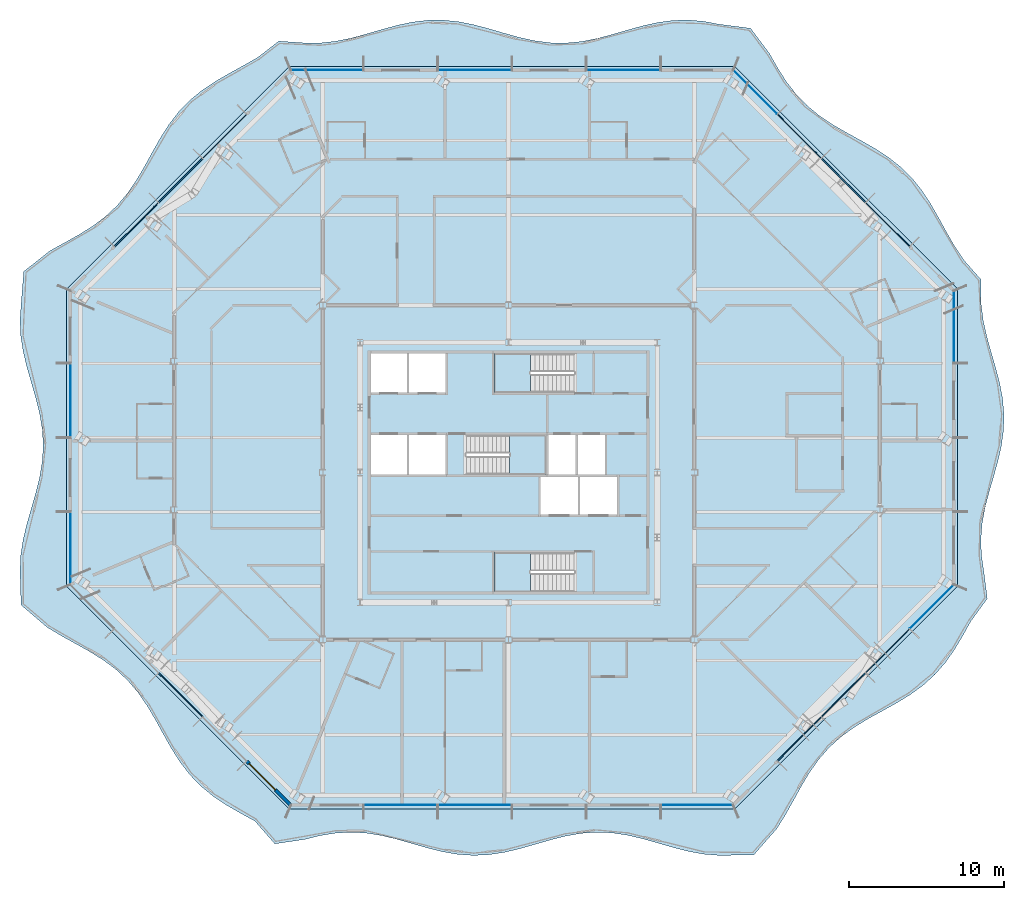
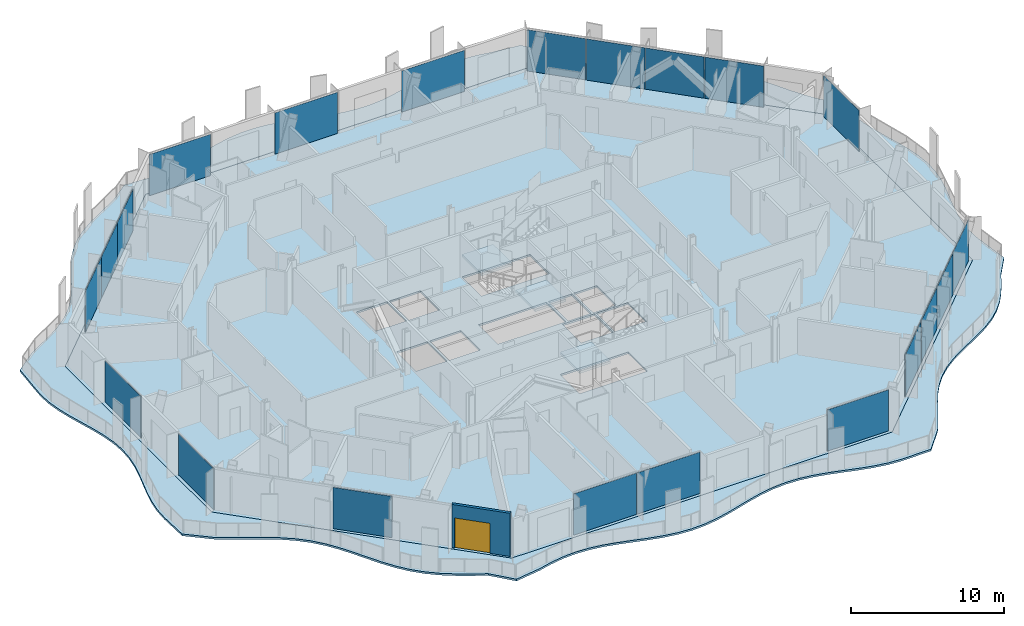
# One storey, part 6 of 22: 21 plates, 5 slabs, 1 door, 1 wall, 1 opening, 11 elements without a shape of their own.
"""IFC4 building model written with IfcOpenShell, lengths in metres."""

from ifc_helpers import new_model, si_unit, direction, frame, frame_2d, origin, origin_2d, place, context, subcontext, project, spatial, polyline, rectangle, outline, extrude, material, layer, layer_set, type_object, element, fill, aggregate, save


model = new_model("IFC4")

# Units and contexts
model_context = context("Model", 3, precision=1e-05, world=origin(), true_north=direction((0.0, 1.0)))
body_context = subcontext(model_context, "Body", "Model", "MODEL_VIEW")
ifc_project = project(units=[si_unit("LENGTHUNIT", "METRE"), si_unit("AREAUNIT", "SQUARE_METRE"), si_unit("VOLUMEUNIT", "CUBIC_METRE"), si_unit("PLANEANGLEUNIT", "RADIAN"), si_unit("MASSUNIT", "GRAM", prefix="KILO")], contexts=[model_context])

# Site, building, storey
site_placement = place(None, origin())
site = spatial("IfcSite", under=ifc_project, at=site_placement, CompositionType="ELEMENT")
building_placement = place(site_placement, origin())
building = spatial("IfcBuilding", under=site, at=building_placement, Name="Cairn Pilgrim Tower", CompositionType="ELEMENT")
storey_placement = place(building_placement, frame((0.0, 0.0, 175.800048828125)))
storey = spatial("IfcBuildingStorey", under=building, at=storey_placement, Name="L44", CompositionType="ELEMENT", Elevation=175.800048828125)

# Slabs
ifc_material_1 = material(Name="Concrete C35/45", Category="concrete")
ifc_layer_1 = layer(ifc_material_1, 0.14990234375)
ifc_layer_set_1 = layer_set([ifc_layer_1], Name="BALCONY SLAB 150 CONCRETE C35/45")
slab_type_1 = type_object("IfcSlabType", Name="BALCONY SLAB 150 CONCRETE C35/45", PredefinedType="FLOOR", material=ifc_layer_set_1)
slab_1_placement = place(storey_placement, frame((0.0, 0.0, -0.150146484375)))
element("IfcSlab", 1, at=slab_1_placement, inside=storey, type_object=slab_type_1, Name="Balcony slab BS-1", PredefinedType="FLOOR", context=body_context, shape_type="SweptSolid", body=[
    extrude(outline(polyline([(-9.19482421875, -20.129638671875), (-7.906982421875, -21.60009765625), (-5.98193359375, -21.31494140625), (-4.98876953125, -21.072509765625), (-3.99560546875, -20.909423828125), (-3.002685546875, -20.85009765625), (-2.009521484375, -20.9033203125), (-1.016357421875, -21.06103515625), (-0.023193359375, -21.2998046875), (0.9697265625, -21.583740234375), (1.962890625, -21.8701171875), (2.9560546875, -22.11572265625), (3.94921875, -22.283935546875), (4.942138671875, -22.349609375), (5.935302734375, -22.302490234375), (6.928466796875, -22.150146484375), (7.921630859375, -21.914794921875), (8.91455078125, -21.632568359375), (9.90771484375, -21.34521484375), (10.90087890625, -21.09619140625), (11.89404296875, -20.9228515625), (12.886962890625, -20.85107421875), (13.880126953125, -20.891845703125), (14.873291015625, -21.0390625), (15.866455078125, -21.2705078125), (16.859375, -21.55126953125), (17.8525390625, -21.83935546875), (18.845703125, -22.091796875), (19.8388671875, -22.27001953125), (20.831787109375, -22.347900390625), (23.052490234375, -22.313232421875), (24.536865234375, -20.621826171875), (25.08984375, -19.73486328125), (25.606201171875, -18.811279296875), (26.11767578125, -17.8828125), (26.657470703125, -16.982421875), (27.253662109375, -16.138671875), (27.92578125, -15.370849609375), (28.681884765625, -14.686767578125), (29.515625, -14.080810546875), (30.40966796875, -13.53466796875), (31.336181640625, -13.02099609375), (32.262451171875, -12.507568359375), (33.156494140625, -11.96142578125), (33.990234375, -11.355224609375), (34.74609375, -10.671142578125), (35.418212890625, -9.9033203125), (36.014404296875, -9.0595703125), (36.553955078125, -8.158935546875), (37.0654296875, -7.23046875), (38.143798828125, -5.744873046875), (37.909423828125, -3.939453125), (37.762939453125, -2.928955078125), (37.727294921875, -1.91845703125), (37.8076171875, -0.907958984375), (37.99169921875, 0.1025390625), (38.2509765625, 1.113037109375), (38.545166015625, 2.123779296875), (38.828369140625, 3.13427734375), (39.056396484375, 4.144775390625), (39.1943359375, 5.1552734375), (39.220458984375, 6.165771484375), (39.130615234375, 7.17626953125), (38.93896484375, 8.186767578125), (38.675048828125, 9.197265625), (38.38037109375, 10.2080078125), (38.10009765625, 11.218505859375), (37.878173828125, 12.22900390625), (37.7490234375, 13.239501953125), (37.732666015625, 14.87451171875), (36.641845703125, 16.10693359375), (36.064453125, 16.969482421875), (35.5361328125, 17.881103515625), (35.026611328125, 18.811767578125), (34.5029296875, 19.72802734375), (33.933837890625, 20.598876953125), (33.2958984375, 21.40087890625), (32.57568359375, 22.12060546875), (31.773681640625, 22.758544921875), (30.90234375, 23.327392578125), (29.986083984375, 23.85107421875), (29.055419921875, 24.360595703125), (28.14404296875, 24.888916015625), (27.28173828125, 25.466552734375), (26.490966796875, 26.115966796875), (25.783203125, 26.84814453125), (25.15625, 27.661376953125), (24.595458984375, 28.54052734375), (24.075927734375, 29.4609375), (22.8447265625, 31.11181640625), (20.831787109375, 31.369384765625), (19.8388671875, 31.556640625), (18.845703125, 31.64501953125), (17.8525390625, 31.62158203125), (16.859375, 31.489990234375), (15.866455078125, 31.26953125), (14.873291015625, 30.99365234375), (13.880126953125, 30.703857421875), (12.886962890625, 30.443359375), (11.89404296875, 30.25146484375), (10.90087890625, 30.156982421875), (9.90771484375, 30.174072265625), (8.91455078125, 30.30029296875), (7.921630859375, 30.516357421875), (6.928466796875, 30.790283203125), (5.935302734375, 31.08056640625), (4.942138671875, 31.34375), (3.94921875, 31.540283203125), (2.9560546875, 31.640625), (1.962890625, 31.6298828125), (0.9697265625, 31.509521484375), (-0.023193359375, 31.29736328125), (-1.016357421875, 31.02587890625), (-2.009521484375, 30.7353515625), (-3.002685546875, 30.469482421875), (-3.99560546875, 30.268310546875), (-4.98876953125, 30.162109375), (-5.98193359375, 30.16650390625), (-7.650634765625, 30.28125), (-8.999755859375, 29.234619140625), (-9.916015625, 28.7109375), (-10.8466796875, 28.20166015625), (-11.758056640625, 27.673095703125), (-12.620361328125, 27.095458984375), (-13.410888671875, 26.446044921875), (-14.11865234375, 25.7138671875), (-14.74560546875, 24.900634765625), (-15.306396484375, 24.021240234375), (-15.825927734375, 23.100830078125), (-16.3359375, 22.171142578125), (-16.869873046875, 21.264892578125), (-17.456787109375, 20.41162109375), (-18.11767578125, 19.632568359375), (-18.86181640625, 18.936767578125), (-19.685546875, 18.320556640625), (-20.572509765625, 17.767578125), (-21.496337890625, 17.251220703125), (-22.4248046875, 16.73974609375), (-24.1328125, 15.392333984375), (-24.306640625, 13.239501953125), (-24.37451171875, 12.22900390625), (-24.325927734375, 11.218505859375), (-24.16845703125, 10.2080078125), (-23.926513671875, 9.197265625), (-23.6376953125, 8.186767578125), (-23.3466796875, 7.17626953125), (-23.09912109375, 6.165771484375), (-22.933349609375, 5.1552734375), (-22.875, 4.144775390625), (-22.93310546875, 3.13427734375), (-23.098876953125, 2.123779296875), (-23.346435546875, 1.113037109375), (-23.63720703125, 0.1025390625), (-23.926025390625, -0.907958984375), (-24.168212890625, -1.91845703125), (-24.325927734375, -2.928955078125), (-24.37451171875, -3.939453125), (-24.306884765625, -6.164306640625), (-22.60400390625, -7.619140625), (-21.70361328125, -8.15869140625), (-20.775146484375, -8.669921875), (-19.851318359375, -9.186279296875), (-18.96484375, -9.73974609375), (-18.141357421875, -10.3564453125), (-17.397705078125, -11.052734375), (-16.7373046875, -11.832275390625), (-16.15087890625, -12.685791015625), (-15.6171875, -13.59228515625), (-15.107177734375, -14.522216796875), (-14.58740234375, -15.4423828125), (-14.0263671875, -16.321533203125), (-13.399169921875, -17.134033203125), (-12.69091796875, -17.86572265625), (-11.899658203125, -18.5146484375), (-11.037109375, -19.092041015625), (-10.125244140625, -19.620361328125), (-9.19482421875, -20.129638671875)]), holes=[polyline([(21.824951171875, -19.35009765625), (-6.97509765625, -19.35009765625), (-21.375, -4.949951171875), (-21.375, 14.25), (-6.97509765625, 28.64990234375), (21.824951171875, 28.64990234375), (36.22509765625, 14.25), (36.22509765625, -4.949951171875), (21.824951171875, -19.35009765625)])]), origin(), (0.0, 0.0, 1.0), 0.150146484375),
])
ifc_layer_2 = layer(ifc_material_1, 0.14990234375)
ifc_layer_set_2 = layer_set([ifc_layer_2], Name="COMPOSITE FLOOR SLAB 150")
slab_type_2 = type_object("IfcSlabType", Name="COMPOSITE FLOOR SLAB 150", PredefinedType="FLOOR", material=ifc_layer_set_2)
slab_2_placement = place(storey_placement, frame((0.0, 0.0, -0.150146484375)))
element("IfcSlab", 2, at=slab_2_placement, inside=storey, type_object=slab_type_2, Name="FLOOR SLAB L44", PredefinedType="FLOOR", context=body_context, shape_type="SweptSolid", body=[
    extrude(outline(polyline([(-6.97509765625, -19.35009765625), (21.824951171875, -19.35009765625), (36.22509765625, -4.949951171875), (36.22509765625, 14.25), (21.824951171875, 28.64990234375), (-6.97509765625, 28.64990234375), (-21.375, 14.25), (-21.375, -4.949951171875), (-6.97509765625, -19.35009765625)]), holes=[polyline([(9.27490234375, -0.324951171875), (11.675048828125, -0.324951171875), (11.675048828125, 2.125), (9.27490234375, 2.125), (9.27490234375, -0.324951171875)]), polyline([(11.824951171875, -0.324951171875), (14.22509765625, -0.324951171875), (14.22509765625, 2.125), (11.824951171875, 2.125), (11.824951171875, -0.324951171875)]), polyline([(-1.72509765625, 2.27490234375), (0.625, 2.27490234375), (0.625, 4.824951171875), (-1.72509765625, 4.824951171875), (-1.72509765625, 2.27490234375)]), polyline([(0.77490234375, 2.27490234375), (3.125, 2.27490234375), (3.125, 4.824951171875), (0.77490234375, 4.824951171875), (0.77490234375, 2.27490234375)]), polyline([(-1.72509765625, 7.574951171875), (0.625, 7.574951171875), (0.625, 10.10009765625), (-1.72509765625, 10.10009765625), (-1.72509765625, 7.574951171875)]), polyline([(0.77490234375, 7.574951171875), (3.125, 7.574951171875), (3.125, 10.10009765625), (0.77490234375, 10.10009765625), (0.77490234375, 7.574951171875)]), polyline([(9.77490234375, 2.27490234375), (11.52490234375, 2.27490234375), (11.52490234375, 4.824951171875), (9.77490234375, 4.824951171875), (9.77490234375, 2.27490234375)]), polyline([(11.675048828125, 2.27490234375), (13.425048828125, 2.27490234375), (13.425048828125, 4.824951171875), (11.675048828125, 4.824951171875), (11.675048828125, 2.27490234375)]), polyline([(11.424560546875, -2.77490234375), (6.27490234375, -2.77490234375), (6.27490234375, -5.300048828125), (11.424560546875, -5.300048828125), (11.424560546875, -2.77490234375)]), polyline([(4.4755859375, 2.27490234375), (9.625, 2.27490234375), (9.625, 4.824951171875), (4.4755859375, 4.824951171875), (4.4755859375, 2.27490234375)]), polyline([(11.424560546875, 10.10009765625), (6.27490234375, 10.10009765625), (6.27490234375, 7.574951171875), (11.424560546875, 7.574951171875), (11.424560546875, 10.10009765625)])]), origin(), (0.0, 0.0, 1.0), 0.150146484375),
])

# Curtain wall, plates
ifc_material_2 = material(Name="Aluminium alloy 6063-T6 bronze anodised with Bronze tinted laminated low-E glass 8+16+8.8", Category="aluminium")
curtain_wall_type_1 = type_object("IfcCurtainWallType", Name="CHAMFER CORNER CURTAIN WALL", PredefinedType="NOTDEFINED", material=ifc_material_2)
curtain_wall_1_placement = place(storey_placement, origin())
curtain_wall_1 = element("IfcCurtainWall", 3, at=curtain_wall_1_placement, inside=storey, type_object=curtain_wall_type_1, Name="Chamfer Corner Curtain Wall SE", PredefinedType="NOTDEFINED")
ifc_material_3 = material(Name="Bronze anodised aluminium spandrel panel with mineral wool insulation", Category="aluminium")
ifc_layer_3 = layer(ifc_material_3, 0.06005859375)
ifc_layer_set_3 = layer_set([ifc_layer_3], Name="SPANDREL PANEL 3972x3300")
plate_type_1 = type_object("IfcPlateType", Name="SPANDREL PANEL 3972x3300", PredefinedType="CURTAIN_PANEL", material=ifc_layer_set_3)
plate_1_placement = place(storey_placement, frame((25.99755859375, -14.823974609375, 0.0), z_axis=(0.0, 0.0, 1.0), x_axis=(0.707106781187, 0.707106781187, 0.0)))
plate_1 = element("IfcPlate", 4, at=plate_1_placement, type_object=plate_type_1, Name="Spandrel Panel SE2-1", PredefinedType="CURTAIN_PANEL", context=body_context, shape_type="SweptSolid", body=[
    extrude(rectangle(XDim=3.971435546875, YDim=0.06005859375, at=origin_2d()), origin(), (0.0, 0.0, 1.0), 3.300048828125),
])
plate_2_placement = place(storey_placement, frame((28.84814453125, -11.97314453125, 0.0), z_axis=(0.0, 0.0, 1.0), x_axis=(0.707106781187, 0.707106781187, 0.0)))
plate_2 = element("IfcPlate", 5, at=plate_2_placement, type_object=plate_type_1, Name="Spandrel Panel SE3-1", PredefinedType="CURTAIN_PANEL", context=body_context, shape_type="SweptSolid", body=[
    extrude(rectangle(XDim=3.971435546875, YDim=0.06005859375, at=origin_2d()), origin(), (0.0, 0.0, 1.0), 3.300048828125),
])
plate_3_placement = place(storey_placement, frame((31.698974609375, -9.12255859375, 0.0), z_axis=(0.0, 0.0, 1.0), x_axis=(0.707106781187, 0.707106781187, 0.0)))
plate_3 = element("IfcPlate", 6, at=plate_3_placement, type_object=plate_type_1, Name="Spandrel Panel SE4-1", PredefinedType="CURTAIN_PANEL", context=body_context, shape_type="SweptSolid", body=[
    extrude(rectangle(XDim=3.971435546875, YDim=0.06005859375, at=origin_2d()), origin(), (0.0, 0.0, 1.0), 3.300048828125),
])

curtain_wall_2_placement = place(storey_placement, origin())
curtain_wall_2 = element("IfcCurtainWall", 7, at=curtain_wall_2_placement, inside=storey, type_object=curtain_wall_type_1, Name="Chamfer Corner Curtain Wall NE", PredefinedType="NOTDEFINED")
plate_4_placement = place(storey_placement, frame((31.698974609375, 18.422607421875, 0.0), z_axis=(0.0, 0.0, 1.0), x_axis=(-0.707106781187, 0.707106781187, 0.0)))
plate_4 = element("IfcPlate", 8, at=plate_4_placement, type_object=plate_type_1, Name="Spandrel Panel NE2-1", PredefinedType="CURTAIN_PANEL", context=body_context, shape_type="SweptSolid", body=[
    extrude(rectangle(XDim=3.971435546875, YDim=0.06005859375, at=origin_2d()), origin(), (0.0, 0.0, 1.0), 3.300048828125),
])
plate_5_placement = place(storey_placement, frame((28.84814453125, 21.273193359375, 0.0), z_axis=(0.0, 0.0, 1.0), x_axis=(-0.707106781187, 0.707106781187, 0.0)))
plate_5 = element("IfcPlate", 9, at=plate_5_placement, type_object=plate_type_1, Name="Spandrel Panel NE3-1", PredefinedType="CURTAIN_PANEL", context=body_context, shape_type="SweptSolid", body=[
    extrude(rectangle(XDim=3.971435546875, YDim=0.06005859375, at=origin_2d()), origin(), (0.0, 0.0, 1.0), 3.300048828125),
])
plate_6_placement = place(storey_placement, frame((25.99755859375, 24.1240234375, 0.0), z_axis=(0.0, 0.0, 1.0), x_axis=(-0.707106781187, 0.707106781187, 0.0)))
plate_6 = element("IfcPlate", 10, at=plate_6_placement, type_object=plate_type_1, Name="Spandrel Panel NE4-1", PredefinedType="CURTAIN_PANEL", context=body_context, shape_type="SweptSolid", body=[
    extrude(rectangle(XDim=3.971435546875, YDim=0.06005859375, at=origin_2d()), origin(), (0.0, 0.0, 1.0), 3.300048828125),
])

curtain_wall_3_placement = place(storey_placement, origin())
curtain_wall_3 = element("IfcCurtainWall", 11, at=curtain_wall_3_placement, inside=storey, type_object=curtain_wall_type_1, Name="Chamfer Corner Curtain Wall NW", PredefinedType="NOTDEFINED")
plate_7_placement = place(storey_placement, frame((-11.1474609375, 24.1240234375, 0.0), z_axis=(0.0, 0.0, 1.0), x_axis=(-0.707106781187, -0.707106781187, 0.0)))
plate_7 = element("IfcPlate", 12, at=plate_7_placement, type_object=plate_type_1, Name="Spandrel Panel NW2-1", PredefinedType="CURTAIN_PANEL", context=body_context, shape_type="SweptSolid", body=[
    extrude(rectangle(XDim=3.971435546875, YDim=0.06005859375, at=origin_2d()), origin(), (0.0, 0.0, 1.0), 3.300048828125),
])
plate_8_placement = place(storey_placement, frame((-13.998291015625, 21.273193359375, 0.0), z_axis=(0.0, 0.0, 1.0), x_axis=(-0.707106781187, -0.707106781187, 0.0)))
plate_8 = element("IfcPlate", 13, at=plate_8_placement, type_object=plate_type_1, Name="Spandrel Panel NW3-1", PredefinedType="CURTAIN_PANEL", context=body_context, shape_type="SweptSolid", body=[
    extrude(rectangle(XDim=3.971435546875, YDim=0.06005859375, at=origin_2d()), origin(), (0.0, 0.0, 1.0), 3.300048828125),
])
plate_9_placement = place(storey_placement, frame((-16.848876953125, 18.422607421875, 0.0), z_axis=(0.0, 0.0, 1.0), x_axis=(-0.707106781187, -0.707106781187, 0.0)))
plate_9 = element("IfcPlate", 14, at=plate_9_placement, type_object=plate_type_1, Name="Spandrel Panel NW4-1", PredefinedType="CURTAIN_PANEL", context=body_context, shape_type="SweptSolid", body=[
    extrude(rectangle(XDim=3.971435546875, YDim=0.06005859375, at=origin_2d()), origin(), (0.0, 0.0, 1.0), 3.300048828125),
])
aggregate(curtain_wall_3, [plate_7, plate_8, plate_9])

# Curtain wall, plate
curtain_wall_4_placement = place(storey_placement, origin())
curtain_wall_4 = element("IfcCurtainWall", 15, at=curtain_wall_4_placement, inside=storey, type_object=curtain_wall_type_1, Name="Chamfer Corner Curtain Wall SW", PredefinedType="NOTDEFINED")
plate_10_placement = place(storey_placement, frame((-13.998291015625, -11.97314453125, 0.0), z_axis=(0.0, 0.0, 1.0), x_axis=(0.707106781187, -0.707106781187, 0.0)))
plate_10 = element("IfcPlate", 16, at=plate_10_placement, type_object=plate_type_1, Name="Spandrel Panel SW3-1", PredefinedType="CURTAIN_PANEL", context=body_context, shape_type="SweptSolid", body=[
    extrude(rectangle(XDim=3.971435546875, YDim=0.06005859375, at=origin_2d()), origin(), (0.0, 0.0, 1.0), 3.300048828125),
])
aggregate(curtain_wall_4, [plate_10])

# Stair, slab
ifc_material_4 = material(Name="Concrete C32/40", Category="concrete")
stair_type = type_object("IfcStairType", Name="EXIT STAIR 1200", PredefinedType="HALF_TURN_STAIR", material=ifc_material_4)
stair_1_placement = place(storey_placement, origin())
stair_1 = element("IfcStair", 17, at=stair_1_placement, inside=storey, type_object=stair_type, Name="L44 Exit Stair A", PredefinedType="HALF_TURN_STAIR")
ifc_layer_4 = layer(ifc_material_4, 0.199951171875)
ifc_layer_set_4 = layer_set([ifc_layer_4], Name="STAIR LANDING 200")
slab_type_3 = type_object("IfcSlabType", Name="STAIR LANDING 200", PredefinedType="LANDING", material=ifc_layer_set_4)
slab_3_placement = place(storey_placement, frame((0.0, 0.0, 1.599853515625)))
slab_3 = element("IfcSlab", 18, at=slab_3_placement, type_object=slab_type_3, Name="ST-A landing 1", PredefinedType="LANDING", context=body_context, shape_type="SweptSolid", body=[
    extrude(outline(polyline([(8.625, -2.77490234375), (6.27490234375, -2.77490234375), (6.27490234375, -5.300048828125), (8.625, -5.300048828125), (8.625, -2.77490234375)])), origin(), (0.0, 0.0, 1.0), 0.2001953125),
])
aggregate(stair_1, [slab_3])

stair_2_placement = place(storey_placement, origin())
stair_2 = element("IfcStair", 19, at=stair_2_placement, inside=storey, type_object=stair_type, Name="L44 Exit Stair B", PredefinedType="HALF_TURN_STAIR")
slab_4_placement = place(storey_placement, frame((0.0, 0.0, 1.599853515625)))
slab_4 = element("IfcSlab", 20, at=slab_4_placement, type_object=slab_type_3, Name="ST-B landing 1", PredefinedType="LANDING", context=body_context, shape_type="SweptSolid", body=[
    extrude(outline(polyline([(7.27490234375, 2.27490234375), (9.625, 2.27490234375), (9.625, 4.824951171875), (7.27490234375, 4.824951171875), (7.27490234375, 2.27490234375)])), origin(), (0.0, 0.0, 1.0), 0.2001953125),
])
aggregate(stair_2, [slab_4])

stair_3_placement = place(storey_placement, origin())
stair_3 = element("IfcStair", 21, at=stair_3_placement, inside=storey, type_object=stair_type, Name="L44 Exit Stair C", PredefinedType="HALF_TURN_STAIR")
slab_5_placement = place(storey_placement, frame((0.0, 0.0, 1.599853515625)))
slab_5 = element("IfcSlab", 22, at=slab_5_placement, type_object=slab_type_3, Name="ST-C landing 1", PredefinedType="LANDING", context=body_context, shape_type="SweptSolid", body=[
    extrude(outline(polyline([(8.625, 10.10009765625), (6.27490234375, 10.10009765625), (6.27490234375, 7.574951171875), (8.625, 7.574951171875), (8.625, 10.10009765625)])), origin(), (0.0, 0.0, 1.0), 0.2001953125),
])
aggregate(stair_3, [slab_5])

# Plate
ifc_material_5 = material(Name="Bronze tinted laminated low-E glass 8+16+8.8", Category="glass")
ifc_layer_5 = layer(ifc_material_5, 0.033935546875)
ifc_layer_set_5 = layer_set([ifc_layer_5], Name="VISION GLAZING 3962x3300")
plate_type_2 = type_object("IfcPlateType", Name="VISION GLAZING 3962x3300", PredefinedType="CURTAIN_PANEL", material=ifc_layer_set_5)
plate_11_placement = place(storey_placement, frame((34.546142578125, -6.275390625, 0.0), z_axis=(0.0, 0.0, 1.0), x_axis=(0.707106781187, 0.707106781187, 0.0)))
plate_11 = element("IfcPlate", 23, at=plate_11_placement, type_object=plate_type_2, Name="Vision Glazing SE5-1", PredefinedType="CURTAIN_PANEL", context=body_context, shape_type="SweptSolid", body=[
    extrude(rectangle(XDim=3.96142578125, YDim=0.033935546875, at=origin_2d()), origin(), (0.0, 0.0, 1.0), 3.300048828125),
])

aggregate(curtain_wall_1, [plate_1, plate_2, plate_3, plate_11])

plate_12_placement = place(storey_placement, frame((23.150390625, 26.97119140625, 0.0), z_axis=(0.0, 0.0, 1.0), x_axis=(-0.707106781187, 0.707106781187, 0.0)))
plate_12 = element("IfcPlate", 24, at=plate_12_placement, type_object=plate_type_2, Name="Vision Glazing NE5-1", PredefinedType="CURTAIN_PANEL", context=body_context, shape_type="SweptSolid", body=[
    extrude(rectangle(XDim=3.96142578125, YDim=0.033935546875, at=origin_2d()), origin(), (0.0, 0.0, 1.0), 3.300048828125),
])

aggregate(curtain_wall_2, [plate_4, plate_5, plate_6, plate_12])

# Curtain wall, plate
curtain_wall_type_2 = type_object("IfcCurtainWallType", Name="TOWER STICK CURTAIN WALL NS", PredefinedType="NOTDEFINED", material=ifc_material_2)
curtain_wall_5_placement = place(storey_placement, origin())
curtain_wall_5 = element("IfcCurtainWall", 25, at=curtain_wall_5_placement, inside=storey, type_object=curtain_wall_type_2, Name="Tower Stick Curtain Wall Ns S", PredefinedType="NOTDEFINED")
ifc_layer_6 = layer(ifc_material_5, 0.033935546875)
ifc_layer_set_6 = layer_set([ifc_layer_6], Name="VISION GLAZING 4626x3300")
plate_type_3 = type_object("IfcPlateType", Name="VISION GLAZING 4626x3300", PredefinedType="CURTAIN_PANEL", material=ifc_layer_set_6)
plate_13_placement = place(storey_placement, frame((19.3681640625, -19.10009765625, 0.0), z_axis=(0.0, 0.0, 1.0), x_axis=(1.0, 0.0, 0.0)))
plate_13 = element("IfcPlate", 26, at=plate_13_placement, type_object=plate_type_3, Name="Vision Glazing S6-1", PredefinedType="CURTAIN_PANEL", context=body_context, shape_type="SweptSolid", body=[
    extrude(rectangle(XDim=4.62646484375, YDim=0.033935546875, at=origin_2d()), origin(), (0.0, 0.0, 1.0), 3.300048828125),
])

curtain_wall_type_3 = type_object("IfcCurtainWallType", Name="TOWER STICK CURTAIN WALL EW", PredefinedType="NOTDEFINED", material=ifc_material_2)
curtain_wall_6_placement = place(storey_placement, origin())
curtain_wall_6 = element("IfcCurtainWall", 27, at=curtain_wall_6_placement, inside=storey, type_object=curtain_wall_type_3, Name="Tower Stick Curtain Wall Ew E", PredefinedType="NOTDEFINED")
plate_14_placement = place(storey_placement, frame((35.97509765625, 11.793212890625, 0.0), z_axis=(0.0, 0.0, 1.0), x_axis=(0.0, 1.0, 0.0)))
plate_14 = element("IfcPlate", 28, at=plate_14_placement, type_object=plate_type_3, Name="Vision Glazing E4-1", PredefinedType="CURTAIN_PANEL", context=body_context, shape_type="SweptSolid", body=[
    extrude(rectangle(XDim=4.62646484375, YDim=0.033935546875, at=origin_2d()), origin(), (0.0, 0.0, 1.0), 3.300048828125),
])
aggregate(curtain_wall_6, [plate_14])

curtain_wall_7_placement = place(storey_placement, origin())
curtain_wall_7 = element("IfcCurtainWall", 29, at=curtain_wall_7_placement, inside=storey, type_object=curtain_wall_type_2, Name="Tower Stick Curtain Wall Ns N", PredefinedType="NOTDEFINED")
plate_15_placement = place(storey_placement, frame((-4.518310546875, 28.39990234375, 0.0), z_axis=(0.0, 0.0, 1.0), x_axis=(-1.0, 0.0, 0.0)))
plate_15 = element("IfcPlate", 30, at=plate_15_placement, type_object=plate_type_3, Name="Vision Glazing N6-1", PredefinedType="CURTAIN_PANEL", context=body_context, shape_type="SweptSolid", body=[
    extrude(rectangle(XDim=4.62646484375, YDim=0.033935546875, at=origin_2d()), origin(), (0.0, 0.0, 1.0), 3.300048828125),
])

curtain_wall_8_placement = place(storey_placement, origin())
curtain_wall_8 = element("IfcCurtainWall", 31, at=curtain_wall_8_placement, inside=storey, type_object=curtain_wall_type_3, Name="Tower Stick Curtain Wall Ew W", PredefinedType="NOTDEFINED")
plate_16_placement = place(storey_placement, frame((-21.125, -2.4931640625, 0.0), z_axis=(0.0, 0.0, 1.0), x_axis=(0.0, -1.0, 0.0)))
plate_16 = element("IfcPlate", 32, at=plate_16_placement, type_object=plate_type_3, Name="Vision Glazing W4-1", PredefinedType="CURTAIN_PANEL", context=body_context, shape_type="SweptSolid", body=[
    extrude(rectangle(XDim=4.62646484375, YDim=0.033935546875, at=origin_2d()), origin(), (0.0, 0.0, 1.0), 3.300048828125),
])

# Plate
ifc_layer_7 = layer(ifc_material_5, 0.033935546875)
ifc_layer_set_7 = layer_set([ifc_layer_7], Name="VISION GLAZING 4740x3300")
plate_type_4 = type_object("IfcPlateType", Name="VISION GLAZING 4740x3300", PredefinedType="CURTAIN_PANEL", material=ifc_layer_set_7)
plate_17_placement = place(storey_placement, frame((0.22509765625, -19.10009765625, 0.0), z_axis=(0.0, 0.0, 1.0), x_axis=(1.0, 0.0, 0.0)))
plate_17 = element("IfcPlate", 33, at=plate_17_placement, type_object=plate_type_4, Name="Vision Glazing S2-1", PredefinedType="CURTAIN_PANEL", context=body_context, shape_type="SweptSolid", body=[
    extrude(rectangle(XDim=4.739990234375, YDim=0.033935546875, at=origin_2d()), origin(), (0.0, 0.0, 1.0), 3.300048828125),
])

plate_18_placement = place(storey_placement, frame((5.02490234375, -19.10009765625, 0.0), z_axis=(0.0, 0.0, 1.0), x_axis=(1.0, 0.0, 0.0)))
plate_18 = element("IfcPlate", 34, at=plate_18_placement, type_object=plate_type_4, Name="Vision Glazing S3-1", PredefinedType="CURTAIN_PANEL", context=body_context, shape_type="SweptSolid", body=[
    extrude(rectangle(XDim=4.739990234375, YDim=0.033935546875, at=origin_2d()), origin(), (0.0, 0.0, 1.0), 3.300048828125),
])

aggregate(curtain_wall_5, [plate_17, plate_18, plate_13])

plate_19_placement = place(storey_placement, frame((14.625, 28.39990234375, 0.0), z_axis=(0.0, 0.0, 1.0), x_axis=(-1.0, 0.0, 0.0)))
plate_19 = element("IfcPlate", 35, at=plate_19_placement, type_object=plate_type_4, Name="Vision Glazing N2-1", PredefinedType="CURTAIN_PANEL", context=body_context, shape_type="SweptSolid", body=[
    extrude(rectangle(XDim=4.739990234375, YDim=0.033935546875, at=origin_2d()), origin(), (0.0, 0.0, 1.0), 3.300048828125),
])

plate_20_placement = place(storey_placement, frame((5.02490234375, 28.39990234375, 0.0), z_axis=(0.0, 0.0, 1.0), x_axis=(-1.0, 0.0, 0.0)))
plate_20 = element("IfcPlate", 36, at=plate_20_placement, type_object=plate_type_4, Name="Vision Glazing N4-1", PredefinedType="CURTAIN_PANEL", context=body_context, shape_type="SweptSolid", body=[
    extrude(rectangle(XDim=4.739990234375, YDim=0.033935546875, at=origin_2d()), origin(), (0.0, 0.0, 1.0), 3.300048828125),
])

aggregate(curtain_wall_7, [plate_19, plate_20, plate_15])

plate_21_placement = place(storey_placement, frame((-21.125, 7.050048828125, 0.0), z_axis=(0.0, 0.0, 1.0), x_axis=(0.0, -1.0, 0.0)))
plate_21 = element("IfcPlate", 37, at=plate_21_placement, type_object=plate_type_4, Name="Vision Glazing W2-1", PredefinedType="CURTAIN_PANEL", context=body_context, shape_type="SweptSolid", body=[
    extrude(rectangle(XDim=4.739990234375, YDim=0.033935546875, at=origin_2d()), origin(), (0.0, 0.0, 1.0), 3.300048828125),
])

aggregate(curtain_wall_8, [plate_21, plate_16])

# Wall, opening, door
ifc_material_6 = material(Name="Bronze anodised aluminium insulated sandwich panel with mineral wool fill", Category="aluminium")
ifc_layer_8 = layer(ifc_material_6, 0.199951171875)
ifc_layer_set_8 = layer_set([ifc_layer_8], Name="BRONZE INFILL FRAME WALL 200")
wall_type = type_object("IfcWallType", Name="BRONZE INFILL FRAME WALL 200", PredefinedType="NOTDEFINED", material=ifc_layer_set_8)
wall_placement = place(storey_placement, frame((-9.700927734375, -16.2705078125, 0.0), z_axis=(0.0, 0.0, 1.0), x_axis=(0.707106781187, -0.707106781187, 0.0)))
wall = element("IfcWall", 38, at=wall_placement, inside=storey, type_object=wall_type, Name="Bronze infill frame wall IW-SW5", PredefinedType="NOTDEFINED", context=body_context, shape_type="SweptSolid", body=[
    extrude(rectangle(XDim=3.961669921875, YDim=0.199951171875, at=frame_2d((1.98095703125, 0.0))), origin(), (0.0, 0.0, 1.0), 3.449951171875),
])
opening_placement = place(wall_placement, frame((0.199951171875, 0.0, 0.0)))
opening = element("IfcOpeningElement", 39, at=opening_placement, cuts=wall, Name="Opening 4420B", PredefinedType="OPENING", context=body_context, shape_type="SweptSolid", body=[
    extrude(rectangle(XDim=2.39990234375, YDim=2.39990234375, at=frame_2d((1.199951171875, 1.199951171875))), frame((0.0, 0.10986328125, 0.0), z_axis=(0.0, -1.0, 0.0), x_axis=(1.0, 0.0, 0.0)), (0.0, 0.0, 1.0), 0.219970703125),
])
ifc_material_7 = material(Name="Bronze anodised aluminium frame with tinted low-E glass", Category="aluminium")
door_type = type_object("IfcDoorType", Name="BALCONY SLIDING DOOR 2400x2400", OperationType="DOUBLE_DOOR_SLIDING", PredefinedType="DOOR", material=ifc_material_7)
door_placement = place(opening_placement, origin())
door = element("IfcDoor", 40, at=door_placement, inside=storey, type_object=door_type, Name="Balcony sliding door 4420B", OperationType="SINGLE_SWING_LEFT", OverallHeight=2.39990234375, OverallWidth=2.39990234375, PredefinedType="DOOR", context=body_context, shape_type="SweptSolid", body=[
    extrude(rectangle(XDim=2.39990234375, YDim=2.39990234375, at=frame_2d((1.199951171875, 1.199951171875))), frame((0.0, 0.02490234375, 0.0), z_axis=(0.0, -1.0, 0.0), x_axis=(1.0, 0.0, 0.0)), (0.0, 0.0, 1.0), 0.050048828125),
])
fill(opening, door)

save(model, "model.ifc")
